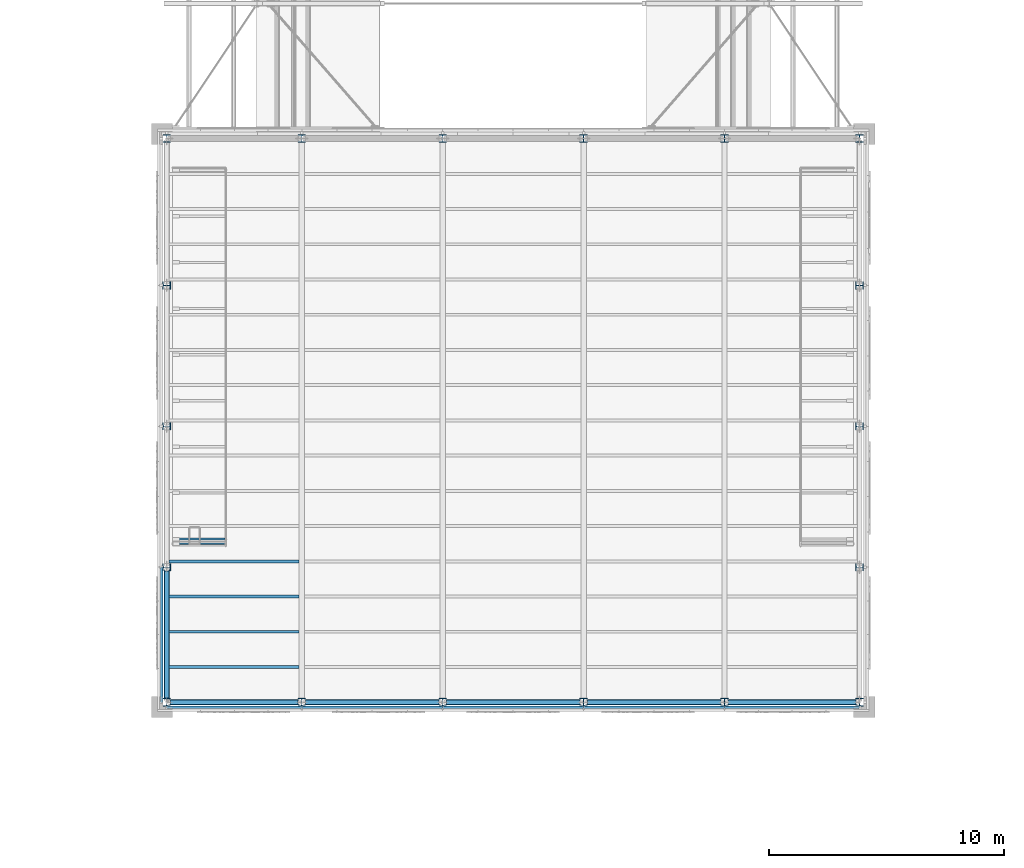
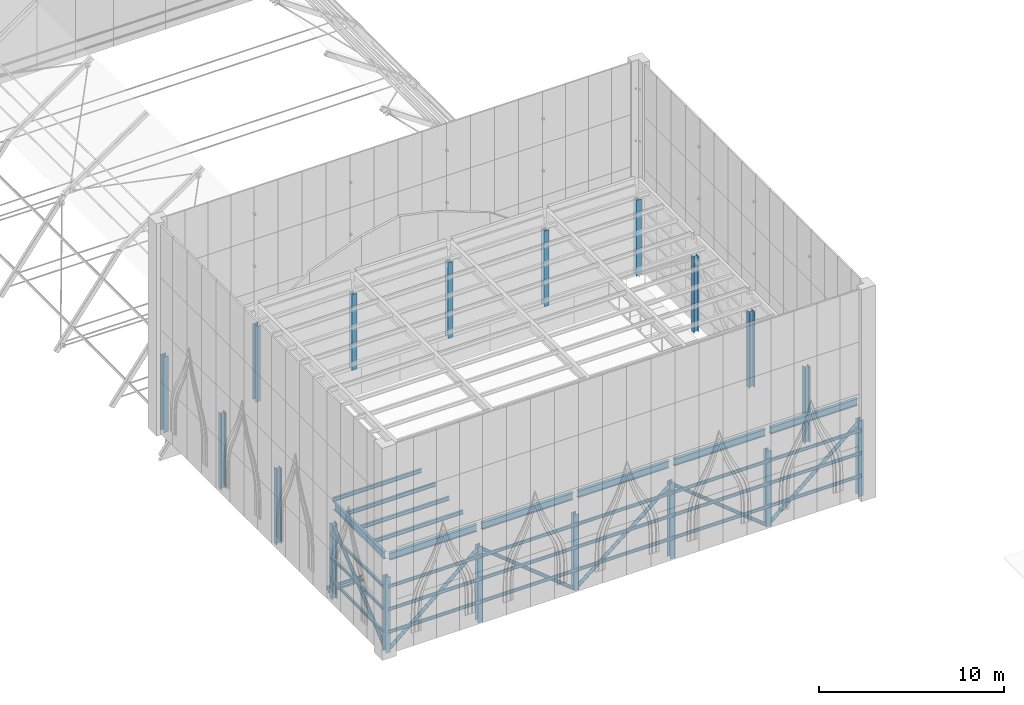
# One storey, part 1 of 43: 30 beams, 18 columns, 6 members.
"""IFC4 building model written with IfcOpenShell, lengths in metres."""

from ifc_helpers import new_model, si_unit, direction, frame, origin, origin_2d, place, context, subcontext, project, spatial, hollow_rectangle, hollow_circle, i_section, extrude, material, material_profile, profile_set, type_object, element, save


model = new_model("IFC4")

# Units and contexts
model_context = context("Model", 3, precision=1e-05, world=origin(), true_north=direction((0.0, 1.0)))
body_context = subcontext(model_context, "Body", "Model", "MODEL_VIEW")
ifc_project = project(units=[si_unit("LENGTHUNIT", "METRE"), si_unit("AREAUNIT", "SQUARE_METRE"), si_unit("VOLUMEUNIT", "CUBIC_METRE"), si_unit("PLANEANGLEUNIT", "RADIAN"), si_unit("MASSUNIT", "GRAM", prefix="KILO")], contexts=[model_context])

# Site, building, storey
site_placement = place(None, origin())
site = spatial("IfcSite", under=ifc_project, at=site_placement, CompositionType="ELEMENT")
building_placement = place(site_placement, origin())
building = spatial("IfcBuilding", under=site, at=building_placement, Name="Saffron Lane Theatres", CompositionType="ELEMENT")
storey_placement = place(building_placement, frame((0.0, 0.0, 23.0)))
storey = spatial("IfcBuildingStorey", under=building, at=storey_placement, Name="Roof", CompositionType="ELEMENT", Elevation=23.0)

# Columns
ifc_material_1 = material(Name="Steel Grade 350", Category="steel")
ifc_material_profile_1 = material_profile(ifc_material_1, i_section(OverallWidth=0.31103515625, OverallDepth=0.326904296875, WebThickness=0.015625, FlangeThickness=0.02490234375, FilletRadius=0.01611328125, at=origin_2d()))
ifc_profile_set_1 = profile_set([ifc_material_profile_1], Name="Steel Grade 350")
column_type = type_object("IfcColumnType", Name="ST-TOWER COLUMN 310UC158", PredefinedType="COLUMN", material=ifc_profile_set_1)
for number, where, z_axis, x_axis, name in (
    (1, (18.25, 30.25, 0.0), (0.0, 0.0, 1.0), (1.0, 0.0, 0.0), "TC1"),
    (2, (24.0, 30.25, 0.0), (0.0, 0.0, 1.0), (1.0, 0.0, 0.0), "TC2"),
    (3, (30.0, 30.25, 0.0), (0.0, 0.0, 1.0), (1.0, 0.0, 0.0), "TC3"),
    (4, (36.0, 30.25, 0.0), (0.0, 0.0, 1.0), (1.0, 0.0, 0.0), "TC4"),
    (5, (42.0, 30.25, 0.0), (0.0, 0.0, 1.0), (1.0, 0.0, 0.0), "TC5"),
    (6, (47.75, 30.25, 0.0), (0.0, 0.0, 1.0), (1.0, 0.0, 0.0), "TC6"),
    (7, (18.25, 54.25, 0.0), (0.0, 0.0, 1.0), (1.0, 0.0, 0.0), "TC7"),
    (8, (24.0, 54.25, 0.0), (0.0, 0.0, 1.0), (1.0, 0.0, 0.0), "TC8"),
    (9, (30.0, 54.25, 0.0), (0.0, 0.0, 1.0), (1.0, 0.0, 0.0), "TC9"),
    (10, (36.0, 54.25, 0.0), (0.0, 0.0, 1.0), (1.0, 0.0, 0.0), "TC10"),
    (11, (42.0, 54.25, 0.0), (0.0, 0.0, 1.0), (1.0, 0.0, 0.0), "TC11"),
    (12, (47.75, 54.25, 0.0), (0.0, 0.0, 1.0), (1.0, 0.0, 0.0), "TC12"),
    (13, (18.25, 36.0, 0.0), (0.0, 0.0, 1.0), (0.0, 1.0, 0.0), "TC13"),
    (14, (18.25, 42.0, 0.0), (0.0, 0.0, 1.0), (0.0, 1.0, 0.0), "TC14"),
    (15, (18.25, 48.0, 0.0), (0.0, 0.0, 1.0), (0.0, 1.0, 0.0), "TC15"),
    (16, (47.75, 36.0, 0.0), (0.0, 0.0, 1.0), (0.0, 1.0, 0.0), "TC16"),
    (17, (47.75, 42.0, 0.0), (0.0, 0.0, 1.0), (0.0, 1.0, 0.0), "TC17"),
    (18, (47.75, 48.0, 0.0), (0.0, 0.0, 1.0), (0.0, 1.0, 0.0), "TC18"),
):
    element("IfcColumn", number, at=place(storey_placement, frame(where, z_axis=z_axis, x_axis=x_axis)), inside=storey, type_object=column_type, Name=name, PredefinedType="COLUMN", context=body_context, shape_type="SweptSolid", body=[
        extrude(i_section(OverallWidth=0.31103515625, OverallDepth=0.326904296875, WebThickness=0.015625, FlangeThickness=0.02490234375, FilletRadius=0.01611328125, at=origin_2d()), origin(), (0.0, 0.0, 1.0), 5.0),
    ])

# Beams
ifc_material_2 = material(Name="Steel Grade 350", Category="steel")
ifc_material_profile_2 = material_profile(ifc_material_2, i_section(OverallWidth=0.09912109375, OverallDepth=0.197998046875, WebThickness=0.00439453125, FlangeThickness=0.007080078125, FilletRadius=0.010986328125, at=origin_2d()))
ifc_profile_set_2 = profile_set([ifc_material_profile_2], Name="Steel Grade 350")
beam_type_1 = type_object("IfcBeamType", Name="ST-GALLERY BEAM 200UB18.2", PredefinedType="BEAM", material=ifc_profile_set_2)
beam_1_placement = place(storey_placement, frame((18.5, 37.199951171875, -0.14892578125), z_axis=(1.0, 0.0, 0.0), x_axis=(0.0, 1.0, 0.0)))
element("IfcBeam", 19, at=beam_1_placement, inside=storey, type_object=beam_type_1, Name="FBW23-2", PredefinedType="BEAM", context=body_context, shape_type="SweptSolid", body=[
    extrude(i_section(OverallWidth=0.09912109375, OverallDepth=0.197998046875, WebThickness=0.00439453125, FlangeThickness=0.007080078125, FilletRadius=0.010986328125, at=origin_2d()), origin(), (0.0, 0.0, 1.0), 2.22509765625),
])
ifc_material_3 = material(Name="Steel Grade 350", Category="steel")
ifc_material_profile_3 = material_profile(ifc_material_3, hollow_rectangle(XDim=0.074951171875, YDim=0.125, WallThickness=0.0048828125, InnerFilletRadius=0.00244140625, OuterFilletRadius=0.007568359375, at=origin_2d()))
ifc_profile_set_3 = profile_set([ifc_material_profile_3], Name="Steel Grade 350")
beam_type_2 = type_object("IfcBeamType", Name="ST-GALLERY EDGE 125x75x5 RHS", PredefinedType="BEAM", material=ifc_profile_set_3)
beam_2_placement = place(storey_placement, frame((18.5, 37.0, -0.262451171875), z_axis=(1.0, 0.0, 0.0), x_axis=(0.0, 1.0, 0.0)))
element("IfcBeam", 20, at=beam_2_placement, inside=storey, type_object=beam_type_2, Name="FBW23-1", PredefinedType="BEAM", context=body_context, shape_type="SweptSolid", body=[
    extrude(hollow_rectangle(XDim=0.074951171875, YDim=0.125, WallThickness=0.0048828125, InnerFilletRadius=0.00244140625, OuterFilletRadius=0.007568359375, at=origin_2d()), origin(), (0.0, 0.0, 1.0), 2.22509765625),
])
ifc_material_4 = material(Name="Steel Grade 350", Category="steel")
ifc_material_profile_4 = material_profile(ifc_material_4, i_section(OverallWidth=0.19091796875, OverallDepth=0.4599609375, WebThickness=0.010009765625, FlangeThickness=0.01611328125, FilletRadius=0.010986328125, at=origin_2d()))
ifc_profile_set_4 = profile_set([ifc_material_profile_4], Name="Steel Grade 350")
beam_type_3 = type_object("IfcBeamType", Name="ST-GRIDIRON GIRDER 460UB82.1", PredefinedType="BEAM", material=ifc_profile_set_4)
beam_3_placement = place(storey_placement, frame((18.405517578125, 30.25, 6.219970703125), z_axis=(1.0, 0.0, 0.0), x_axis=(0.0, 1.0, 0.0)))
element("IfcBeam", 21, at=beam_3_placement, inside=storey, type_object=beam_type_3, Name="TG1", PredefinedType="BEAM", context=body_context, shape_type="SweptSolid", body=[
    extrude(i_section(OverallWidth=0.19091796875, OverallDepth=0.4599609375, WebThickness=0.010009765625, FlangeThickness=0.01611328125, FilletRadius=0.010986328125, at=origin_2d()), origin(), (0.0, 0.0, 1.0), 5.43896484375),
])
for number, where, z_axis, x_axis, name in (
    (22, (24.155517578125, 30.25, 6.219970703125), (1.0, 0.0, 0.0), (0.0, 1.0, 0.0), "TG2"),
    (23, (30.155517578125, 30.25, 6.219970703125), (1.0, 0.0, 0.0), (0.0, 1.0, 0.0), "TG3"),
    (24, (36.155517578125, 30.25, 6.219970703125), (1.0, 0.0, 0.0), (0.0, 1.0, 0.0), "TG4"),
):
    element("IfcBeam", number, at=place(storey_placement, frame(where, z_axis=z_axis, x_axis=x_axis)), inside=storey, type_object=beam_type_3, Name=name, PredefinedType="BEAM", context=body_context, shape_type="SweptSolid", body=[
        extrude(i_section(OverallWidth=0.19091796875, OverallDepth=0.4599609375, WebThickness=0.010009765625, FlangeThickness=0.01611328125, FilletRadius=0.010986328125, at=origin_2d()), origin(), (0.0, 0.0, 1.0), 5.68896484375),
    ])
beam_4_placement = place(storey_placement, frame((42.155517578125, 30.25, 6.219970703125), z_axis=(1.0, 0.0, 0.0), x_axis=(0.0, 1.0, 0.0)))
element("IfcBeam", 25, at=beam_4_placement, inside=storey, type_object=beam_type_3, Name="TG5", PredefinedType="BEAM", context=body_context, shape_type="SweptSolid", body=[
    extrude(i_section(OverallWidth=0.19091796875, OverallDepth=0.4599609375, WebThickness=0.010009765625, FlangeThickness=0.01611328125, FilletRadius=0.010986328125, at=origin_2d()), origin(), (0.0, 0.0, 1.0), 5.43896484375),
])
beam_5_placement = place(storey_placement, frame((18.25, 30.41357421875, 6.219970703125), z_axis=(0.0, 1.0, 0.0), x_axis=(-1.0, 0.0, 0.0)))
element("IfcBeam", 26, at=beam_5_placement, inside=storey, type_object=beam_type_3, Name="TG11", PredefinedType="BEAM", context=body_context, shape_type="SweptSolid", body=[
    extrude(i_section(OverallWidth=0.19091796875, OverallDepth=0.4599609375, WebThickness=0.010009765625, FlangeThickness=0.01611328125, FilletRadius=0.010986328125, at=origin_2d()), origin(), (0.0, 0.0, 1.0), 5.430908203125),
])
ifc_material_5 = material(Name="Steel Grade 350", Category="steel")
ifc_material_profile_5 = material_profile(ifc_material_5, i_section(OverallWidth=0.1240234375, OverallDepth=0.248046875, WebThickness=0.0048828125, FlangeThickness=0.008056640625, FilletRadius=0.011962890625, at=origin_2d()))
ifc_profile_set_5 = profile_set([ifc_material_profile_5], Name="Steel Grade 350")
beam_type_4 = type_object("IfcBeamType", Name="ST-GRIDIRON JOIST 250UB25.7", PredefinedType="JOIST", material=ifc_profile_set_5)
for number, where, z_axis, x_axis, name in (
    (27, (18.345458984375, 33.25, 6.325927734375), (1.0, 0.0, 0.0), (0.0, 1.0, 0.0), "TJ1"),
    (28, (18.345458984375, 36.25, 6.325927734375), (1.0, 0.0, 0.0), (0.0, 1.0, 0.0), "TJ6"),
    (29, (18.345458984375, 31.75, 6.325927734375), (1.0, 0.0, 0.0), (0.0, 1.0, 0.0), "TM1"),
    (30, (18.345458984375, 34.75, 6.325927734375), (1.0, 0.0, 0.0), (0.0, 1.0, 0.0), "TM6"),
):
    element("IfcBeam", number, at=place(storey_placement, frame(where, z_axis=z_axis, x_axis=x_axis)), inside=storey, type_object=beam_type_4, Name=name, PredefinedType="JOIST", context=body_context, shape_type="SweptSolid", body=[
        extrude(i_section(OverallWidth=0.1240234375, OverallDepth=0.248046875, WebThickness=0.0048828125, FlangeThickness=0.008056640625, FilletRadius=0.011962890625, at=origin_2d()), origin(), (0.0, 0.0, 1.0), 5.5400390625),
    ])

# Members
ifc_material_6 = material(Name="Steel Grade 350", Category="steel")
ifc_material_profile_6 = material_profile(ifc_material_6, hollow_circle(Radius=0.109619140625, WallThickness=0.00830078125, at=origin_2d()))
ifc_profile_set_6 = profile_set([ifc_material_profile_6], Name="Steel Grade 350")
member_type = type_object("IfcMemberType", Name="ST-TOWER BRACE LO 219.1x8.2 CHS", PredefinedType="BRACE", material=ifc_profile_set_6)
member_placement = place(storey_placement, frame((18.349365234375, 30.25, 0.083740234375), z_axis=(0.764377426649, 0.0, 0.644769066898), x_axis=(0.0, 1.0, 0.0)))
element("IfcMember", 31, at=member_placement, inside=storey, type_object=member_type, Name="TB1", PredefinedType="BRACE", context=body_context, shape_type="SweptSolid", body=[
    extrude(hollow_circle(Radius=0.109619140625, WallThickness=0.00830078125, at=origin_2d()), origin(), (0.0, 0.0, 1.0), 7.262451171875),
])
for number, where, z_axis, x_axis, name in (
    (32, (29.89453125, 30.25, 0.085205078125), (-0.77768461101, 0.0, 0.628654631573), (0.0, -1.0, 0.0), "TB3"),
    (33, (30.10546875, 30.25, 0.085205078125), (0.77768461101, 0.0, 0.628654631573), (0.0, 1.0, 0.0), "TB5"),
    (34, (41.89453125, 30.25, 0.085205078125), (-0.77768461101, 0.0, 0.628654631573), (0.0, -1.0, 0.0), "TB7"),
):
    element("IfcMember", number, at=place(storey_placement, frame(where, z_axis=z_axis, x_axis=x_axis)), inside=storey, type_object=member_type, Name=name, PredefinedType="BRACE", context=body_context, shape_type="SweptSolid", body=[
        extrude(hollow_circle(Radius=0.109619140625, WallThickness=0.00830078125, at=origin_2d()), origin(), (0.0, 0.0, 1.0), 7.444091796875),
    ])
for number, where, z_axis, x_axis, name in (
    (35, (42.099365234375, 30.25, 0.083740234375), (0.764377426649, 0.0, 0.644769066898), (0.0, 1.0, 0.0), "TB9"),
    (36, (18.25, 30.349365234375, 0.083740234375), (0.0, 0.764377426649, 0.644769066898), (-1.0, 0.0, 0.0), "TB21"),
):
    element("IfcMember", number, at=place(storey_placement, frame(where, z_axis=z_axis, x_axis=x_axis)), inside=storey, type_object=member_type, Name=name, PredefinedType="BRACE", context=body_context, shape_type="SweptSolid", body=[
        extrude(hollow_circle(Radius=0.109619140625, WallThickness=0.00830078125, at=origin_2d()), origin(), (0.0, 0.0, 1.0), 7.262451171875),
    ])

# Beams
ifc_material_7 = material(Name="Steel Grade 350", Category="steel")
ifc_material_profile_7 = material_profile(ifc_material_7, i_section(OverallWidth=0.09912109375, OverallDepth=0.197998046875, WebThickness=0.00439453125, FlangeThickness=0.007080078125, FilletRadius=0.010986328125, at=origin_2d()))
ifc_profile_set_7 = profile_set([ifc_material_profile_7], Name="Steel Grade 350")
beam_type_5 = type_object("IfcBeamType", Name="ST-TOWER GIRT 200UB18.2", PredefinedType="BEAM", material=ifc_profile_set_7)
beam_6_placement = place(storey_placement, frame((18.25, 30.037109375, 1.40087890625), z_axis=(1.0, 0.0, 0.0), x_axis=(0.0, 1.0, 0.0)))
element("IfcBeam", 37, at=beam_6_placement, inside=storey, type_object=beam_type_5, Name="TX1", PredefinedType="BEAM", context=body_context, shape_type="SweptSolid", body=[
    extrude(i_section(OverallWidth=0.09912109375, OverallDepth=0.197998046875, WebThickness=0.00439453125, FlangeThickness=0.007080078125, FilletRadius=0.010986328125, at=origin_2d()), origin(), (0.0, 0.0, 1.0), 5.75),
])
for number, where, z_axis, x_axis, name in (
    (38, (24.0, 30.037109375, 1.40087890625), (1.0, 0.0, 0.0), (0.0, 1.0, 0.0), "TX2"),
    (39, (30.0, 30.037109375, 1.40087890625), (1.0, 0.0, 0.0), (0.0, 1.0, 0.0), "TX3"),
    (40, (36.0, 30.037109375, 1.40087890625), (1.0, 0.0, 0.0), (0.0, 1.0, 0.0), "TX4"),
):
    element("IfcBeam", number, at=place(storey_placement, frame(where, z_axis=z_axis, x_axis=x_axis)), inside=storey, type_object=beam_type_5, Name=name, PredefinedType="BEAM", context=body_context, shape_type="SweptSolid", body=[
        extrude(i_section(OverallWidth=0.09912109375, OverallDepth=0.197998046875, WebThickness=0.00439453125, FlangeThickness=0.007080078125, FilletRadius=0.010986328125, at=origin_2d()), origin(), (0.0, 0.0, 1.0), 6.0),
    ])
for number, where, z_axis, x_axis, name in (
    (41, (42.0, 30.037109375, 1.40087890625), (1.0, 0.0, 0.0), (0.0, 1.0, 0.0), "TX5"),
    (42, (18.25, 30.037109375, 2.90087890625), (1.0, 0.0, 0.0), (0.0, 1.0, 0.0), "TX6"),
):
    element("IfcBeam", number, at=place(storey_placement, frame(where, z_axis=z_axis, x_axis=x_axis)), inside=storey, type_object=beam_type_5, Name=name, PredefinedType="BEAM", context=body_context, shape_type="SweptSolid", body=[
        extrude(i_section(OverallWidth=0.09912109375, OverallDepth=0.197998046875, WebThickness=0.00439453125, FlangeThickness=0.007080078125, FilletRadius=0.010986328125, at=origin_2d()), origin(), (0.0, 0.0, 1.0), 5.75),
    ])
for number, where, z_axis, x_axis, name in (
    (43, (24.0, 30.037109375, 2.90087890625), (1.0, 0.0, 0.0), (0.0, 1.0, 0.0), "TX7"),
    (44, (30.0, 30.037109375, 2.90087890625), (1.0, 0.0, 0.0), (0.0, 1.0, 0.0), "TX8"),
    (45, (36.0, 30.037109375, 2.90087890625), (1.0, 0.0, 0.0), (0.0, 1.0, 0.0), "TX9"),
):
    element("IfcBeam", number, at=place(storey_placement, frame(where, z_axis=z_axis, x_axis=x_axis)), inside=storey, type_object=beam_type_5, Name=name, PredefinedType="BEAM", context=body_context, shape_type="SweptSolid", body=[
        extrude(i_section(OverallWidth=0.09912109375, OverallDepth=0.197998046875, WebThickness=0.00439453125, FlangeThickness=0.007080078125, FilletRadius=0.010986328125, at=origin_2d()), origin(), (0.0, 0.0, 1.0), 6.0),
    ])
for number, where, z_axis, x_axis, name in (
    (46, (42.0, 30.037109375, 2.90087890625), (1.0, 0.0, 0.0), (0.0, 1.0, 0.0), "TX10"),
    (47, (18.25, 30.037109375, 4.40087890625), (1.0, 0.0, 0.0), (0.0, 1.0, 0.0), "TX11"),
):
    element("IfcBeam", number, at=place(storey_placement, frame(where, z_axis=z_axis, x_axis=x_axis)), inside=storey, type_object=beam_type_5, Name=name, PredefinedType="BEAM", context=body_context, shape_type="SweptSolid", body=[
        extrude(i_section(OverallWidth=0.09912109375, OverallDepth=0.197998046875, WebThickness=0.00439453125, FlangeThickness=0.007080078125, FilletRadius=0.010986328125, at=origin_2d()), origin(), (0.0, 0.0, 1.0), 5.75),
    ])
for number, where, z_axis, x_axis, name in (
    (48, (24.0, 30.037109375, 4.40087890625), (1.0, 0.0, 0.0), (0.0, 1.0, 0.0), "TX12"),
    (49, (30.0, 30.037109375, 4.40087890625), (1.0, 0.0, 0.0), (0.0, 1.0, 0.0), "TX13"),
    (50, (36.0, 30.037109375, 4.40087890625), (1.0, 0.0, 0.0), (0.0, 1.0, 0.0), "TX14"),
):
    element("IfcBeam", number, at=place(storey_placement, frame(where, z_axis=z_axis, x_axis=x_axis)), inside=storey, type_object=beam_type_5, Name=name, PredefinedType="BEAM", context=body_context, shape_type="SweptSolid", body=[
        extrude(i_section(OverallWidth=0.09912109375, OverallDepth=0.197998046875, WebThickness=0.00439453125, FlangeThickness=0.007080078125, FilletRadius=0.010986328125, at=origin_2d()), origin(), (0.0, 0.0, 1.0), 6.0),
    ])
for number, where, z_axis, x_axis, name in (
    (51, (42.0, 30.037109375, 4.40087890625), (1.0, 0.0, 0.0), (0.0, 1.0, 0.0), "TX15"),
    (52, (18.037109375, 30.25, 1.40087890625), (0.0, 1.0, 0.0), (-1.0, 0.0, 0.0), "TX26"),
    (53, (18.037109375, 30.25, 2.90087890625), (0.0, 1.0, 0.0), (-1.0, 0.0, 0.0), "TX30"),
    (54, (18.037109375, 30.25, 4.40087890625), (0.0, 1.0, 0.0), (-1.0, 0.0, 0.0), "TX34"),
):
    element("IfcBeam", number, at=place(storey_placement, frame(where, z_axis=z_axis, x_axis=x_axis)), inside=storey, type_object=beam_type_5, Name=name, PredefinedType="BEAM", context=body_context, shape_type="SweptSolid", body=[
        extrude(i_section(OverallWidth=0.09912109375, OverallDepth=0.197998046875, WebThickness=0.00439453125, FlangeThickness=0.007080078125, FilletRadius=0.010986328125, at=origin_2d()), origin(), (0.0, 0.0, 1.0), 5.75),
    ])

save(model, "model.ifc")
